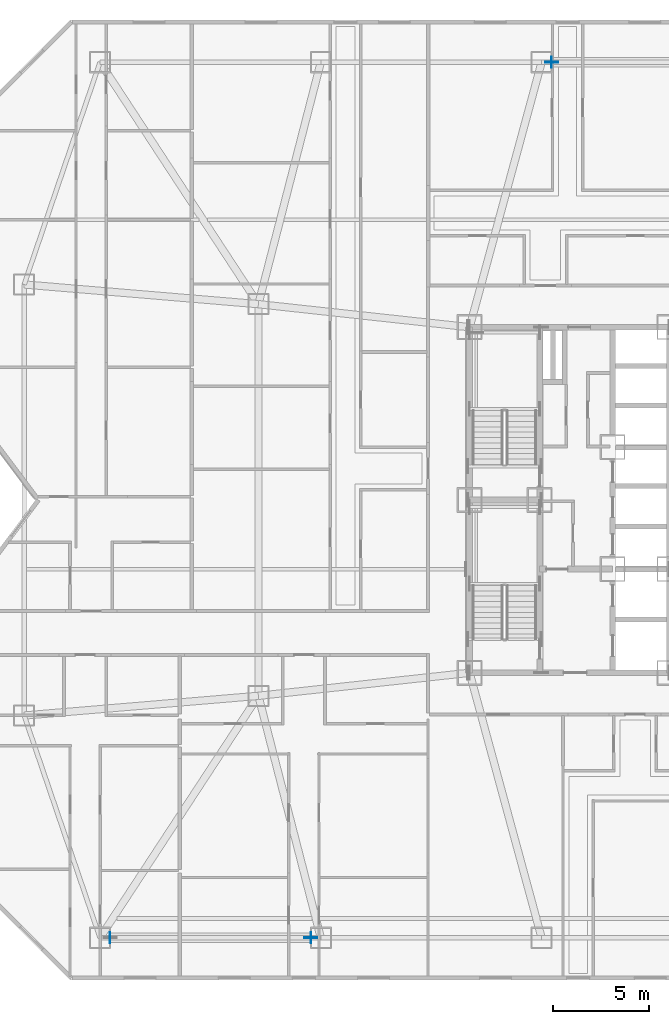
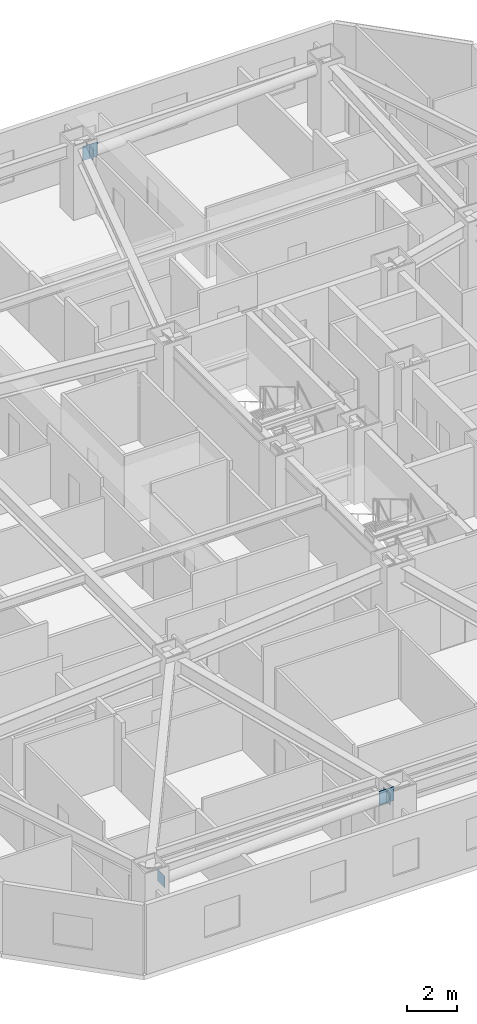
# One storey, part 5 of 17: 5 plates.
"""IFC4 building model written with IfcOpenShell, lengths in metres."""

from ifc_helpers import new_model, si_unit, direction, frame, origin, origin_2d, place, context, subcontext, project, spatial, rectangle, extrude, material, layer, layer_set, type_object, element, save


model = new_model("IFC4")

# Units and contexts
model_context = context("Model", 3, precision=1e-05, world=origin(), true_north=direction((0.0, 1.0)))
body_context = subcontext(model_context, "Body", "Model", "MODEL_VIEW")
ifc_project = project(units=[si_unit("LENGTHUNIT", "METRE"), si_unit("AREAUNIT", "SQUARE_METRE"), si_unit("VOLUMEUNIT", "CUBIC_METRE"), si_unit("PLANEANGLEUNIT", "RADIAN"), si_unit("MASSUNIT", "GRAM", prefix="KILO")], contexts=[model_context])

# Site, building, storey
site_placement = place(None, origin())
site = spatial("IfcSite", under=ifc_project, at=site_placement, CompositionType="ELEMENT")
building_placement = place(site_placement, origin())
building = spatial("IfcBuilding", under=site, at=building_placement, Name="Khamvora Tower", CompositionType="ELEMENT")
storey_placement = place(building_placement, frame((0.0, 0.0, 44.25)))
storey = spatial("IfcBuildingStorey", under=building, at=storey_placement, Name="L10", CompositionType="ELEMENT", Elevation=44.25)

# Plates
ifc_material_1 = material(Name="Steel S355", Category="steel")
ifc_layer_1 = layer(ifc_material_1, 0.02490234375)
ifc_layer_set_1 = layer_set([ifc_layer_1], Name="Steel S355")
plate_type_1 = type_object("IfcPlateType", Name="PL-CAP-25", PredefinedType="SHEET", material=ifc_layer_set_1)
for number, where, z_axis, x_axis, name in (
    (1, (10.26806640625, 5.199951171875, 2.416015625), (0.0, 0.0, 1.0), (1.0, 0.0, 0.0), "L10 hollow section steel end cap plate 0568"),
    (2, (20.73193359375, 5.199951171875, 2.81689453125), (0.0, 0.0, 1.0), (1.0, 0.0, 0.0), "L10 hollow section steel end cap plate 0569"),
    (3, (33.26806640625, 50.800048828125, 2.416015625), (0.0, 0.0, 1.0), (1.0, 0.0, 0.0), "L10 hollow section steel end cap plate 0570"),
):
    element("IfcPlate", number, at=place(storey_placement, frame(where, z_axis=z_axis, x_axis=x_axis)), inside=storey, type_object=plate_type_1, Name=name, PredefinedType="SHEET", context=body_context, shape_type="SweptSolid", body=[
        extrude(rectangle(XDim=0.02490234375, YDim=0.568115234375, at=origin_2d()), origin(), (0.0, 0.0, 1.0), 0.568115234375),
    ])
ifc_material_2 = material(Name="Steel S460", Category="steel")
ifc_layer_2 = layer(ifc_material_2, 0.0400390625)
ifc_layer_set_2 = layer_set([ifc_layer_2], Name="Steel S460")
plate_type_2 = type_object("IfcPlateType", Name="PLT-GUS-40", PredefinedType="SHEET", material=ifc_layer_set_2)
for number, where, z_axis, x_axis, name in (
    (4, (20.719970703125, 5.199951171875, 2.76123046875), (0.0, 0.0, 1.0), (1.0, 0.0, 0.0), "L10 brace connection node gusset plate 0086"),
    (5, (33.280029296875, 50.800048828125, 2.35986328125), (0.0, 0.0, 1.0), (1.0, 0.0, 0.0), "L10 brace connection node gusset plate 0087"),
):
    element("IfcPlate", number, at=place(storey_placement, frame(where, z_axis=z_axis, x_axis=x_axis)), inside=storey, type_object=plate_type_2, Name=name, PredefinedType="SHEET", context=body_context, shape_type="SweptSolid", body=[
        extrude(rectangle(XDim=0.679931640625, YDim=0.0400390625, at=origin_2d()), origin(), (0.0, 0.0, 1.0), 0.679931640625),
    ])

save(model, "model.ifc")
